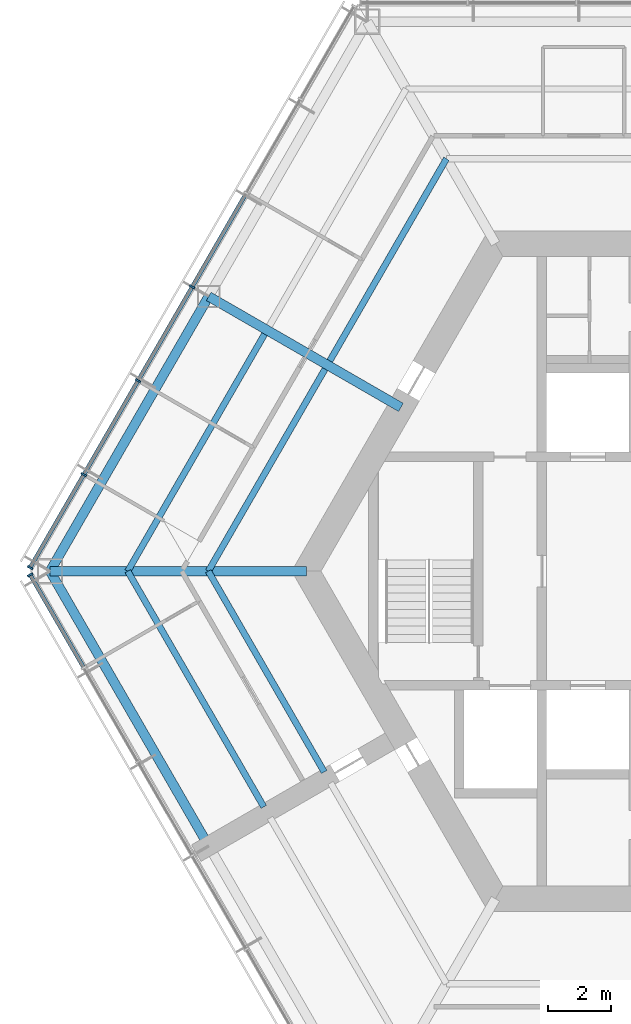
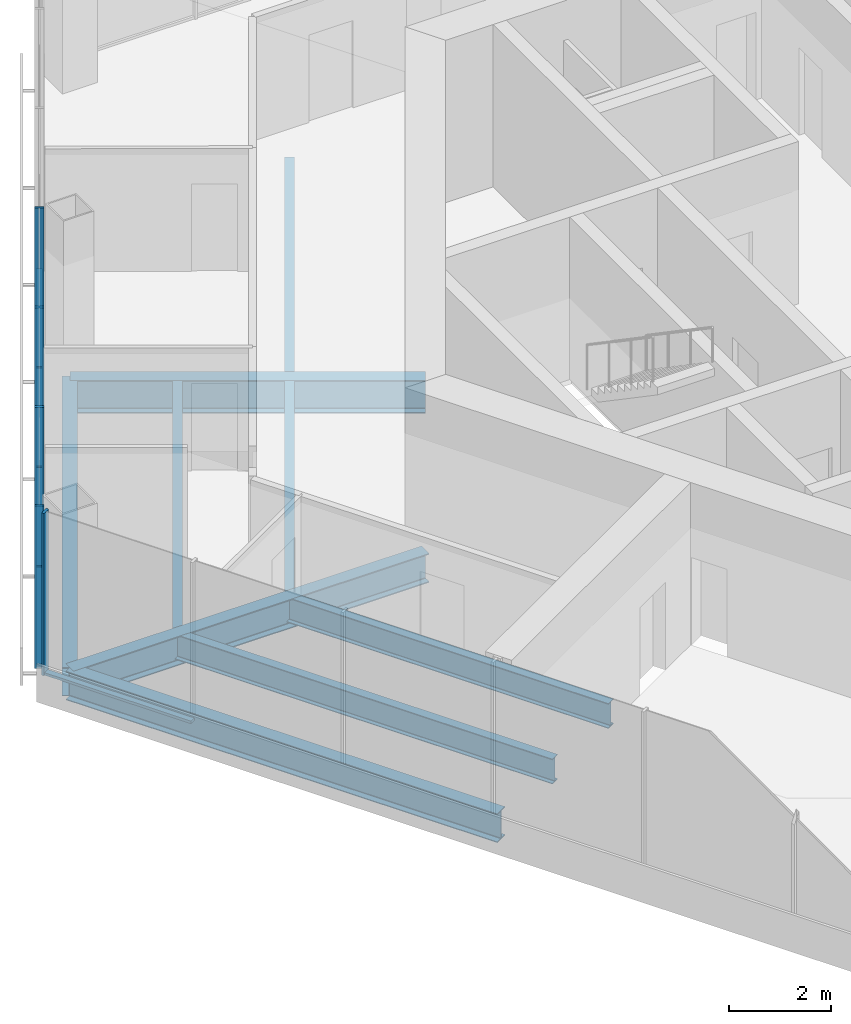
# One storey, part 3 of 13: 10 members, 9 beams, 2 elements without a shape of their own.
"""IFC4 building model written with IfcOpenShell, lengths in metres."""

from ifc_helpers import new_model, si_unit, direction, frame, origin, origin_2d, place, context, subcontext, project, spatial, rectangle, i_section, extrude, material, material_profile, profile_set, type_object, element, aggregate, save


model = new_model("IFC4")

# Units and contexts
model_context = context("Model", 3, precision=1e-05, world=origin(), true_north=direction((0.0, 1.0)))
body_context = subcontext(model_context, "Body", "Model", "MODEL_VIEW")
ifc_project = project(units=[si_unit("LENGTHUNIT", "METRE"), si_unit("AREAUNIT", "SQUARE_METRE"), si_unit("VOLUMEUNIT", "CUBIC_METRE"), si_unit("PLANEANGLEUNIT", "RADIAN"), si_unit("MASSUNIT", "GRAM", prefix="KILO")], contexts=[model_context])

# Site, building, storey
site_placement = place(None, origin())
site = spatial("IfcSite", under=ifc_project, at=site_placement, CompositionType="ELEMENT")
building_placement = place(site_placement, origin())
building = spatial("IfcBuilding", under=site, at=building_placement, Name="Kasaneha Research Tower", CompositionType="ELEMENT")
storey_placement = place(building_placement, frame((0.0, 0.0, 279.10009765625)))
storey = spatial("IfcBuildingStorey", under=building, at=storey_placement, Name="L70", CompositionType="ELEMENT", Elevation=279.10009765625)

# Beams
ifc_material_1 = material(Name="Steel SN490B", Category="steel")
ifc_material_profile_1 = material_profile(ifc_material_1, i_section(OverallWidth=0.199951171875, OverallDepth=0.60009765625, WebThickness=0.010986328125, FlangeThickness=0.01708984375, FilletRadius=0.012939453125, at=origin_2d()), Name="H-600x200x11x17")
ifc_profile_set_1 = profile_set([ifc_material_profile_1], Name="Steel SN490B")
beam_type_1 = type_object("IfcBeamType", Name="B1-3 secondary beam H-600x200x11x17", PredefinedType="JOIST", material=ifc_profile_set_1)
for number, where, z_axis, x_axis, name in (
    (1, (-7.505615234375, 13.0, -0.4501953125), (-0.499994443168, -0.866028611999, 0.0), (0.866028611999, -0.499994443168, 0.0), "Secondary beam RS150L1 L70"),
    (2, (-15.010986328125, 0.0, -0.4501953125), (0.499994443168, 0.866028611999, 0.0), (-0.866028611999, 0.499994443168, 0.0), "Secondary beam RS150R1 L70"),
):
    element("IfcBeam", number, at=place(storey_placement, frame(where, z_axis=z_axis, x_axis=x_axis)), inside=storey, type_object=beam_type_1, Name=name, PredefinedType="JOIST", context=body_context, shape_type="SweptSolid", body=[
        extrude(i_section(OverallWidth=0.199951171875, OverallDepth=0.60009765625, WebThickness=0.010986328125, FlangeThickness=0.01708984375, FilletRadius=0.012939453125, at=origin_2d()), origin(), (0.0, 0.0, 1.0), 7.35546875),
    ])
beam_1_placement = place(storey_placement, frame((-17.551513671875, 0.0, -0.4501953125), z_axis=(0.5000050195, 0.866022505755, 0.0), x_axis=(-0.866022505755, 0.5000050195, 0.0)))
element("IfcBeam", 3, at=beam_1_placement, inside=storey, type_object=beam_type_1, Name="Secondary beam RS150R2 L70", PredefinedType="JOIST", context=body_context, shape_type="SweptSolid", body=[
    extrude(i_section(OverallWidth=0.199951171875, OverallDepth=0.60009765625, WebThickness=0.010986328125, FlangeThickness=0.01708984375, FilletRadius=0.012939453125, at=origin_2d()), origin(), (0.0, 0.0, 1.0), 8.6259765625),
])
beam_2_placement = place(storey_placement, frame((-15.010986328125, 0.0, -0.4501953125), z_axis=(0.499974128195, -0.866040340363, 0.0), x_axis=(0.866040340363, 0.499974128195, 0.0)))
element("IfcBeam", 4, at=beam_2_placement, inside=storey, type_object=beam_type_1, Name="Secondary beam RS210L1 L70", PredefinedType="JOIST", context=body_context, shape_type="SweptSolid", body=[
    extrude(i_section(OverallWidth=0.199951171875, OverallDepth=0.60009765625, WebThickness=0.010986328125, FlangeThickness=0.01708984375, FilletRadius=0.012939453125, at=origin_2d()), origin(), (0.0, 0.0, 1.0), 7.3056640625),
])
beam_3_placement = place(storey_placement, frame((-17.551513671875, 0.0, -0.4501953125), z_axis=(0.500000102728, -0.866025344474, 0.0), x_axis=(0.866025344474, 0.500000102728, 0.0)))
element("IfcBeam", 5, at=beam_3_placement, inside=storey, type_object=beam_type_1, Name="Secondary beam RS210L2 L70", PredefinedType="JOIST", context=body_context, shape_type="SweptSolid", body=[
    extrude(i_section(OverallWidth=0.199951171875, OverallDepth=0.60009765625, WebThickness=0.010986328125, FlangeThickness=0.01708984375, FilletRadius=0.012939453125, at=origin_2d()), origin(), (0.0, 0.0, 1.0), 8.57568359375),
])

# Curtain wall, members
ifc_material_2 = material(Name="Glass and aluminium", Category="aluminium")
curtain_wall_type = type_object("IfcCurtainWallType", Name="Crown curtain wall", PredefinedType="USERDEFINED", material=ifc_material_2)
curtain_wall_1_placement = place(storey_placement, origin())
curtain_wall_1 = element("IfcCurtainWall", 6, at=curtain_wall_1_placement, inside=storey, type_object=curtain_wall_type, Name="CW-C L70 run 03a", ObjectType="UNITISED CURTAIN WALL", PredefinedType="USERDEFINED")
ifc_material_3 = material(Name="Aluminium 6063-T6", Category="aluminium")
ifc_material_profile_2 = material_profile(ifc_material_3, rectangle(XDim=0.06005859375, YDim=0.179931640625, at=origin_2d()), Name="CW-C mullion 60x180")
ifc_profile_set_2 = profile_set([ifc_material_profile_2], Name="Aluminium 6063-T6")
member_type_1 = type_object("IfcMemberType", Name="CW-C mullion", PredefinedType="MULLION", material=ifc_profile_set_2)
member_1_placement = place(storey_placement, frame((-15.51953125, 8.960205078125, 0.0), z_axis=(0.0, 0.0, 1.0), x_axis=(-0.499999995722, -0.866025406254, 0.0)))
member_1 = element("IfcMember", 7, at=member_1_placement, type_object=member_type_1, Name="CW-C mullion 4", PredefinedType="MULLION", context=body_context, shape_type="SweptSolid", body=[
    extrude(rectangle(XDim=0.06005859375, YDim=0.179931640625, at=origin_2d()), origin(), (0.0, 0.0, 1.0), 3.89990234375),
])
member_2_placement = place(storey_placement, frame((-17.227294921875, 6.00244140625, 0.0), z_axis=(0.0, 0.0, 1.0), x_axis=(-0.499999995722, -0.866025406254, 0.0)))
member_2 = element("IfcMember", 8, at=member_2_placement, type_object=member_type_1, Name="CW-C mullion 5", PredefinedType="MULLION", context=body_context, shape_type="SweptSolid", body=[
    extrude(rectangle(XDim=0.06005859375, YDim=0.179931640625, at=origin_2d()), origin(), (0.0, 0.0, 1.0), 3.89990234375),
])
member_3_placement = place(storey_placement, frame((-18.93505859375, 3.04443359375, 0.0), z_axis=(0.0, 0.0, 1.0), x_axis=(-0.499999995722, -0.866025406254, 0.0)))
member_3 = element("IfcMember", 9, at=member_3_placement, type_object=member_type_1, Name="CW-C mullion 6", PredefinedType="MULLION", context=body_context, shape_type="SweptSolid", body=[
    extrude(rectangle(XDim=0.06005859375, YDim=0.179931640625, at=origin_2d()), origin(), (0.0, 0.0, 1.0), 3.89990234375),
])
member_4_placement = place(storey_placement, frame((-20.6279296875, 0.112548828125, 0.0), z_axis=(0.0, 0.0, 1.0), x_axis=(-0.499999995722, -0.866025406254, 0.0)))
member_4 = element("IfcMember", 10, at=member_4_placement, type_object=member_type_1, Name="CW-C mullion 7", PredefinedType="MULLION", context=body_context, shape_type="SweptSolid", body=[
    extrude(rectangle(XDim=0.06005859375, YDim=0.179931640625, at=origin_2d()), origin(), (0.0, 0.0, 1.0), 3.89990234375),
])

# Curtain wall, member
curtain_wall_2_placement = place(storey_placement, origin())
curtain_wall_2 = element("IfcCurtainWall", 11, at=curtain_wall_2_placement, inside=storey, type_object=curtain_wall_type, Name="CW-C L70 run 04a", ObjectType="UNITISED CURTAIN WALL", PredefinedType="USERDEFINED")
member_5_placement = place(storey_placement, frame((-20.6279296875, -0.112548828125, 0.0), z_axis=(0.0, 0.0, 1.0), x_axis=(0.499999995722, -0.866025406254, 0.0)))
member_5 = element("IfcMember", 12, at=member_5_placement, type_object=member_type_1, Name="CW-C mullion 1", PredefinedType="MULLION", context=body_context, shape_type="SweptSolid", body=[
    extrude(rectangle(XDim=0.06005859375, YDim=0.179931640625, at=origin_2d()), origin(), (0.0, 0.0, 1.0), 3.89990234375),
])

# Member
ifc_material_4 = material(Name="Aluminium 6063-T6", Category="aluminium")
ifc_material_profile_3 = material_profile(ifc_material_4, rectangle(XDim=0.1298828125, YDim=0.06005859375, at=origin_2d()), Name="CW-C transom 130x60")
ifc_profile_set_3 = profile_set([ifc_material_profile_3], Name="Aluminium 6063-T6")
member_type_2 = type_object("IfcMemberType", Name="CW-C transom", PredefinedType="USERDEFINED", material=ifc_profile_set_3)
member_6_placement = place(storey_placement, frame((-13.826904296875, 11.89208984375, 0.02978515625), z_axis=(-0.500020578564, -0.866013522419, 0.0), x_axis=(0.866013522419, -0.500020578564, 0.0)))
member_6 = element("IfcMember", 13, at=member_6_placement, type_object=member_type_2, Name="CW-C transom 3", ObjectType="TRANSOM", PredefinedType="USERDEFINED", context=body_context, shape_type="SweptSolid", body=[
    extrude(rectangle(XDim=0.1298828125, YDim=0.06005859375, at=origin_2d()), origin(), (0.0, 0.0, 1.0), 3.355224609375),
])

member_7_placement = place(storey_placement, frame((-15.53466796875, 8.934326171875, 0.02978515625), z_axis=(-0.499989072476, -0.866031712701, 0.0), x_axis=(0.866031712701, -0.499989072476, 0.0)))
member_7 = element("IfcMember", 14, at=member_7_placement, type_object=member_type_2, Name="CW-C transom 4", ObjectType="TRANSOM", PredefinedType="USERDEFINED", context=body_context, shape_type="SweptSolid", body=[
    extrude(rectangle(XDim=0.1298828125, YDim=0.06005859375, at=origin_2d()), origin(), (0.0, 0.0, 1.0), 3.35546875),
])

member_8_placement = place(storey_placement, frame((-17.242431640625, 5.976318359375, 0.02978515625), z_axis=(-0.500020578564, -0.866013522419, 0.0), x_axis=(0.866013522419, -0.500020578564, 0.0)))
member_8 = element("IfcMember", 15, at=member_8_placement, type_object=member_type_2, Name="CW-C transom 5", ObjectType="TRANSOM", PredefinedType="USERDEFINED", context=body_context, shape_type="SweptSolid", body=[
    extrude(rectangle(XDim=0.1298828125, YDim=0.06005859375, at=origin_2d()), origin(), (0.0, 0.0, 1.0), 3.355224609375),
])

member_9_placement = place(storey_placement, frame((-18.9501953125, 3.0185546875, 0.02978515625), z_axis=(-0.49997666526, -0.866038875684, 0.0), x_axis=(0.866038875684, -0.49997666526, 0.0)))
member_9 = element("IfcMember", 16, at=member_9_placement, type_object=member_type_2, Name="CW-C transom 6", ObjectType="TRANSOM", PredefinedType="USERDEFINED", context=body_context, shape_type="SweptSolid", body=[
    extrude(rectangle(XDim=0.1298828125, YDim=0.06005859375, at=origin_2d()), origin(), (0.0, 0.0, 1.0), 3.325439453125),
])

aggregate(curtain_wall_1, [member_1, member_2, member_3, member_4, member_6, member_7, member_8, member_9])

member_10_placement = place(storey_placement, frame((-20.61279296875, -0.138671875, 0.02978515625), z_axis=(0.49997666526, -0.866038875684, 0.0), x_axis=(0.866038875684, 0.49997666526, 0.0)))
member_10 = element("IfcMember", 17, at=member_10_placement, type_object=member_type_2, Name="CW-C transom 1", ObjectType="TRANSOM", PredefinedType="USERDEFINED", context=body_context, shape_type="SweptSolid", body=[
    extrude(rectangle(XDim=0.1298828125, YDim=0.06005859375, at=origin_2d()), origin(), (0.0, 0.0, 1.0), 3.325439453125),
])

aggregate(curtain_wall_2, [member_5, member_10])

# Beams
ifc_material_5 = material(Name="Steel SN490B", Category="steel")
ifc_material_profile_4 = material_profile(ifc_material_5, i_section(OverallWidth=0.300048828125, OverallDepth=0.699951171875, WebThickness=0.012939453125, FlangeThickness=0.02392578125, FilletRadius=0.01806640625, at=origin_2d()), Name="H-700x300x13x24")
ifc_profile_set_4 = profile_set([ifc_material_profile_4], Name="Steel SN490B")
beam_type_2 = type_object("IfcBeamType", Name="G1-3 radial girder H-700x300x13x24", PredefinedType="BEAM", material=ifc_profile_set_4)
beam_4_placement = place(storey_placement, frame((-11.92236328125, 0.0, -0.5), z_axis=(-1.0, 0.0, 0.0), x_axis=(0.0, -1.0, 0.0)))
element("IfcBeam", 18, at=beam_4_placement, inside=storey, type_object=beam_type_2, Name="Radial girder RV180 L70", PredefinedType="BEAM", context=body_context, shape_type="SweptSolid", body=[
    extrude(i_section(OverallWidth=0.300048828125, OverallDepth=0.699951171875, WebThickness=0.012939453125, FlangeThickness=0.02392578125, FilletRadius=0.01806640625, at=origin_2d()), origin(), (0.0, 0.0, 1.0), 8.07763671875),
])
ifc_material_6 = material(Name="Steel SN490B", Category="steel")
ifc_material_profile_5 = material_profile(ifc_material_6, i_section(OverallWidth=0.300048828125, OverallDepth=0.800048828125, WebThickness=0.013916015625, FlangeThickness=0.02587890625, FilletRadius=0.01806640625, at=origin_2d()), Name="H-800x300x14x26")
ifc_profile_set_5 = profile_set([ifc_material_profile_5], Name="Steel SN490B")
beam_type_3 = type_object("IfcBeamType", Name="G2-3 radial girder H-800x300x14x26", PredefinedType="BEAM", material=ifc_profile_set_5)
beam_5_placement = place(storey_placement, frame((-8.941650390625, 5.16259765625, -0.550048828125), z_axis=(-0.866039713508, 0.499975214012, 0.0), x_axis=(-0.499975214012, -0.866039713508, 0.0)))
element("IfcBeam", 19, at=beam_5_placement, inside=storey, type_object=beam_type_3, Name="Radial girder RM150 L70", PredefinedType="BEAM", context=body_context, shape_type="SweptSolid", body=[
    extrude(i_section(OverallWidth=0.300048828125, OverallDepth=0.800048828125, WebThickness=0.013916015625, FlangeThickness=0.02587890625, FilletRadius=0.01806640625, at=origin_2d()), origin(), (0.0, 0.0, 1.0), 6.995361328125),
])
ifc_material_7 = material(Name="Steel SN490B", Category="steel")
ifc_material_profile_6 = material_profile(ifc_material_7, i_section(OverallWidth=0.300048828125, OverallDepth=0.69189453125, WebThickness=0.012939453125, FlangeThickness=0.02001953125, FilletRadius=0.01806640625, at=origin_2d()), Name="H-692x300x13x20")
ifc_profile_set_6 = profile_set([ifc_material_profile_6], Name="Steel SN490B")
beam_type_4 = type_object("IfcBeamType", Name="G3-3 plate edge girder H-692x300x13x20", PredefinedType="BEAM", material=ifc_profile_set_6)
beam_6_placement = place(storey_placement, frame((-20.0, 0.0, -0.49609375), z_axis=(0.49999201416, -0.866030014362, 0.0), x_axis=(0.866030014362, 0.49999201416, 0.0)))
element("IfcBeam", 20, at=beam_6_placement, inside=storey, type_object=beam_type_4, Name="Plate edge girder PEBP L70", PredefinedType="BEAM", context=body_context, shape_type="SweptSolid", body=[
    extrude(i_section(OverallWidth=0.300048828125, OverallDepth=0.69189453125, WebThickness=0.012939453125, FlangeThickness=0.02001953125, FilletRadius=0.01806640625, at=origin_2d()), origin(), (0.0, 0.0, 1.0), 9.800048828125),
])
ifc_material_8 = material(Name="Steel SN490B", Category="steel")
ifc_material_profile_7 = material_profile(ifc_material_8, i_section(OverallWidth=0.300048828125, OverallDepth=0.69189453125, WebThickness=0.012939453125, FlangeThickness=0.02001953125, FilletRadius=0.01806640625, at=origin_2d()), Name="H-692x300x13x20")
ifc_profile_set_7 = profile_set([ifc_material_profile_7], Name="Steel SN490B")
beam_type_5 = type_object("IfcBeamType", Name="SB1-3 spandrel beam H-692x300x13x20", PredefinedType="SPANDREL", material=ifc_profile_set_7)
beam_7_placement = place(storey_placement, frame((-20.0, 0.0, -0.49609375), z_axis=(0.500004234368, 0.866022959057, 0.0), x_axis=(-0.866022959057, 0.500004234368, 0.0)))
element("IfcBeam", 21, at=beam_7_placement, inside=storey, type_object=beam_type_5, Name="Spandrel beam SR150R L70", PredefinedType="SPANDREL", context=body_context, shape_type="SweptSolid", body=[
    extrude(i_section(OverallWidth=0.300048828125, OverallDepth=0.69189453125, WebThickness=0.012939453125, FlangeThickness=0.02001953125, FilletRadius=0.01806640625, at=origin_2d()), origin(), (0.0, 0.0, 1.0), 10.0),
])

save(model, "model.ifc")
